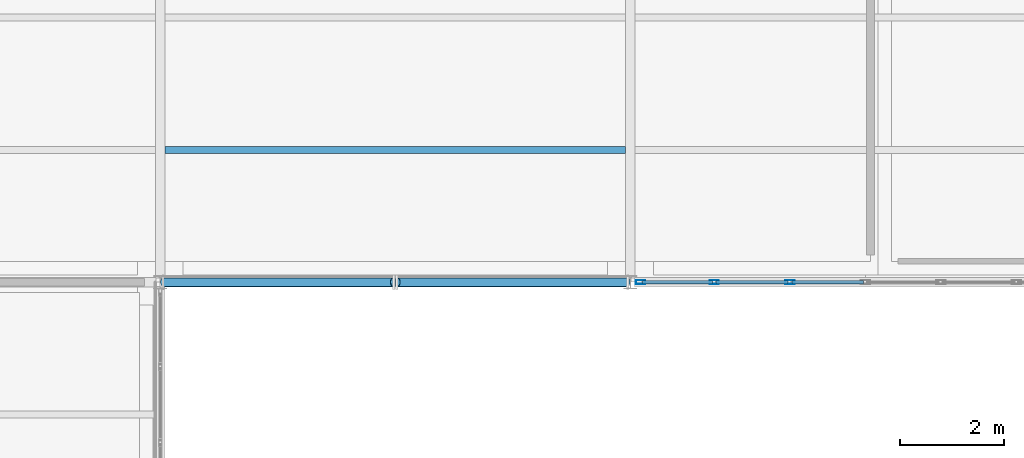
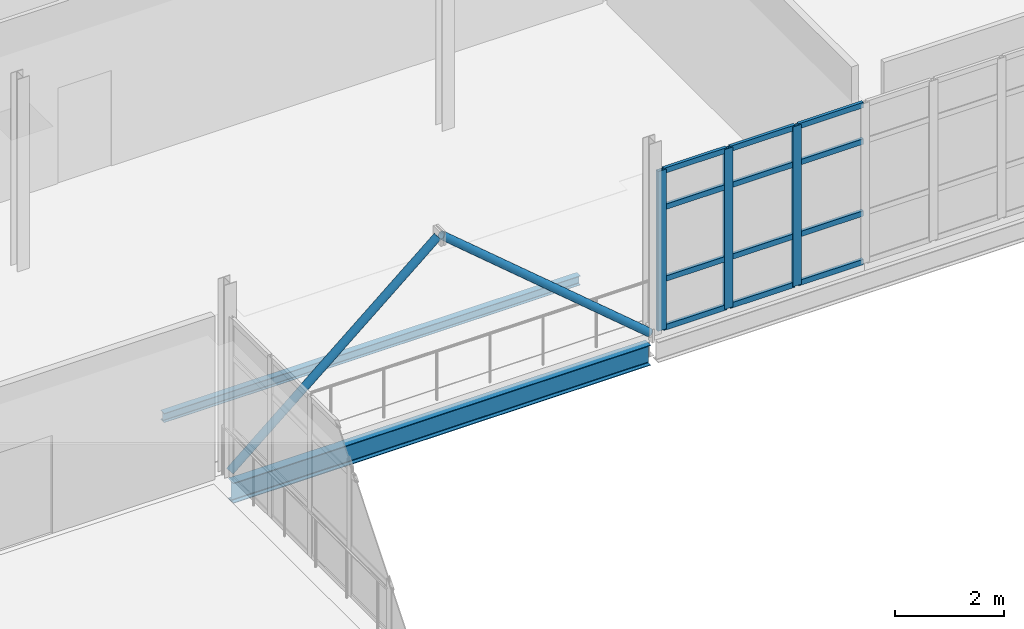
# One storey, part 80 of 166: 17 members, 2 beams, 1 element without a shape of its own.
"""IFC4 building model written with IfcOpenShell, lengths in metres."""

from ifc_helpers import new_model, si_unit, direction, frame, origin, origin_2d, place, context, subcontext, project, spatial, hollow_rectangle, hollow_circle, i_section, extrude, material, material_profile, profile_set, type_object, element, aggregate, save


model = new_model("IFC4")

# Units and contexts
model_context = context("Model", 3, precision=1e-05, world=origin(), true_north=direction((0.0, 1.0)))
body_context = subcontext(model_context, "Body", "Model", "MODEL_VIEW")
ifc_project = project(units=[si_unit("LENGTHUNIT", "METRE"), si_unit("AREAUNIT", "SQUARE_METRE"), si_unit("VOLUMEUNIT", "CUBIC_METRE"), si_unit("PLANEANGLEUNIT", "RADIAN"), si_unit("MASSUNIT", "GRAM", prefix="KILO")], contexts=[model_context])

# Site, building, storey
site_placement = place(None, origin())
site = spatial("IfcSite", under=ifc_project, at=site_placement, CompositionType="ELEMENT")
building_placement = place(site_placement, origin())
building = spatial("IfcBuilding", under=site, at=building_placement, Name="Caisbarro Railhouse Central Library", CompositionType="ELEMENT")
storey_placement = place(building_placement, frame((0.0, 0.0, 9.360107421875)))
storey = spatial("IfcBuildingStorey", under=building, at=storey_placement, Name="L02", CompositionType="ELEMENT", Elevation=9.360107421875)

# Beams
ifc_material_1 = material(Name="Steel ASTM A572 Grade 50", Category="steel")
ifc_material_profile_1 = material_profile(ifc_material_1, i_section(OverallWidth=0.133056640625, OverallDepth=0.20703125, WebThickness=0.005859375, FlangeThickness=0.00830078125, FilletRadius=0.010009765625, at=origin_2d()), Name="W200X26.6")
ifc_profile_set_1 = profile_set([ifc_material_profile_1], Name="Steel ASTM A572 Grade 50")
beam_type_1 = type_object("IfcBeamType", Name="BM-J07", PredefinedType="JOIST", material=ifc_profile_set_1)
beam_1_placement = place(storey_placement, frame((63.089111328125, 86.13330078125, -0.3037109375), z_axis=(1.0, 0.0, 0.0), x_axis=(0.0, 1.0, 0.0)))
element("IfcBeam", 1, at=beam_1_placement, inside=storey, type_object=beam_type_1, Name="J07 beam L02 #1696", PredefinedType="JOIST", context=body_context, shape_type="SweptSolid", body=[
    extrude(i_section(OverallWidth=0.133056640625, OverallDepth=0.20703125, WebThickness=0.005859375, FlangeThickness=0.00830078125, FilletRadius=0.010009765625, at=origin_2d()), origin(), (0.0, 0.0, 1.0), 8.82177734375),
])
ifc_material_profile_2 = material_profile(ifc_material_1, i_section(OverallWidth=0.18994140625, OverallDepth=0.45703125, WebThickness=0.009033203125, FlangeThickness=0.014404296875, FilletRadius=0.01806640625, at=origin_2d()), Name="W460X74.0")
ifc_profile_set_2 = profile_set([ifc_material_profile_2], Name="Steel ASTM A572 Grade 50")
beam_type_2 = type_object("IfcBeamType", Name="BM-SP01", PredefinedType="SPANDREL", material=ifc_profile_set_2)
beam_2_placement = place(storey_placement, frame((63.080078125, 83.60009765625, -0.4287109375), z_axis=(1.0, 0.0, 0.0), x_axis=(0.0, 1.0, 0.0)))
element("IfcBeam", 2, at=beam_2_placement, inside=storey, type_object=beam_type_2, Name="SP01 beam L02 #1653", PredefinedType="SPANDREL", context=body_context, shape_type="SweptSolid", body=[
    extrude(i_section(OverallWidth=0.18994140625, OverallDepth=0.45703125, WebThickness=0.009033203125, FlangeThickness=0.014404296875, FilletRadius=0.01806640625, at=origin_2d()), origin(), (0.0, 0.0, 1.0), 8.83984375),
])

# Curtain wall, members
ifc_material_2 = material(Name="Anodised architectural aluminium", Category="aluminium")
curtain_wall_type = type_object("IfcCurtainWallType", Name="CW-CW02", PredefinedType="NOTDEFINED", material=ifc_material_2)
curtain_wall_placement = place(storey_placement, origin())
curtain_wall = element("IfcCurtainWall", 3, at=curtain_wall_placement, inside=storey, type_object=curtain_wall_type, Name="CW02 curtain wall L02 #182", PredefinedType="NOTDEFINED")
ifc_material_profile_3 = material_profile(ifc_material_2, hollow_rectangle(XDim=0.074951171875, YDim=0.179931640625, WallThickness=0.00439453125, at=origin_2d()), Name="ALU-MUL-75X180")
ifc_profile_set_3 = profile_set([ifc_material_profile_3], Name="Anodised architectural aluminium")
member_type_1 = type_object("IfcMemberType", Name="CWM-M01", PredefinedType="MULLION", material=ifc_profile_set_3)
member_1_placement = place(storey_placement, frame((72.197509765625, 83.60009765625, 0.0), z_axis=(0.0, 0.0, 1.0), x_axis=(0.0, 1.0, 0.0)))
member_1 = element("IfcMember", 4, at=member_1_placement, type_object=member_type_1, Name="CW02 mullion 1", PredefinedType="MULLION", context=body_context, shape_type="SweptSolid", body=[
    extrude(hollow_rectangle(XDim=0.074951171875, YDim=0.179931640625, WallThickness=0.00439453125, at=origin_2d()), origin(), (0.0, 0.0, 1.0), 3.579833984375),
])
member_2_placement = place(storey_placement, frame((73.606689453125, 83.60009765625, 0.0), z_axis=(0.0, 0.0, 1.0), x_axis=(0.0, 1.0, 0.0)))
member_2 = element("IfcMember", 5, at=member_2_placement, type_object=member_type_1, Name="CW02 mullion 2", PredefinedType="MULLION", context=body_context, shape_type="SweptSolid", body=[
    extrude(hollow_rectangle(XDim=0.074951171875, YDim=0.179931640625, WallThickness=0.00439453125, at=origin_2d()), origin(), (0.0, 0.0, 1.0), 3.579833984375),
])
member_3_placement = place(storey_placement, frame((75.05322265625, 83.60009765625, 0.0), z_axis=(0.0, 0.0, 1.0), x_axis=(0.0, 1.0, 0.0)))
member_3 = element("IfcMember", 6, at=member_3_placement, type_object=member_type_1, Name="CW02 mullion 3", PredefinedType="MULLION", context=body_context, shape_type="SweptSolid", body=[
    extrude(hollow_rectangle(XDim=0.074951171875, YDim=0.179931640625, WallThickness=0.00439453125, at=origin_2d()), origin(), (0.0, 0.0, 1.0), 3.579833984375),
])
ifc_material_profile_4 = material_profile(ifc_material_2, hollow_rectangle(XDim=0.06494140625, YDim=0.1201171875, WallThickness=0.00341796875, at=origin_2d()), Name="ALU-TRN-65X120")
ifc_profile_set_4 = profile_set([ifc_material_profile_4], Name="Anodised architectural aluminium")
member_type_2 = type_object("IfcMemberType", Name="CWT-T02", PredefinedType="USERDEFINED", material=ifc_profile_set_4)
member_4_placement = place(storey_placement, frame((72.235107421875, 83.60009765625, 0.032470703125), z_axis=(1.0, 0.0, 0.0), x_axis=(0.0, 1.0, 0.0)))
member_4 = element("IfcMember", 7, at=member_4_placement, type_object=member_type_2, Name="CW02 transom 1.1", ObjectType="TRANSOM", PredefinedType="USERDEFINED", context=body_context, shape_type="SweptSolid", body=[
    extrude(hollow_rectangle(XDim=0.06494140625, YDim=0.1201171875, WallThickness=0.00341796875, at=origin_2d()), origin(), (0.0, 0.0, 1.0), 1.333984375),
])
member_5_placement = place(storey_placement, frame((72.235107421875, 83.60009765625, 1.119873046875), z_axis=(1.0, 0.0, 0.0), x_axis=(0.0, 1.0, 0.0)))
member_5 = element("IfcMember", 8, at=member_5_placement, type_object=member_type_2, Name="CW02 transom 1.2", ObjectType="TRANSOM", PredefinedType="USERDEFINED", context=body_context, shape_type="SweptSolid", body=[
    extrude(hollow_rectangle(XDim=0.06494140625, YDim=0.1201171875, WallThickness=0.00341796875, at=origin_2d()), origin(), (0.0, 0.0, 1.0), 1.333984375),
])
member_6_placement = place(storey_placement, frame((72.235107421875, 83.60009765625, 2.72998046875), z_axis=(1.0, 0.0, 0.0), x_axis=(0.0, 1.0, 0.0)))
member_6 = element("IfcMember", 9, at=member_6_placement, type_object=member_type_2, Name="CW02 transom 1.3", ObjectType="TRANSOM", PredefinedType="USERDEFINED", context=body_context, shape_type="SweptSolid", body=[
    extrude(hollow_rectangle(XDim=0.06494140625, YDim=0.1201171875, WallThickness=0.00341796875, at=origin_2d()), origin(), (0.0, 0.0, 1.0), 1.333984375),
])
member_7_placement = place(storey_placement, frame((72.235107421875, 83.60009765625, 3.54736328125), z_axis=(1.0, 0.0, 0.0), x_axis=(0.0, 1.0, 0.0)))
member_7 = element("IfcMember", 10, at=member_7_placement, type_object=member_type_2, Name="CW02 transom 1.4", ObjectType="TRANSOM", PredefinedType="USERDEFINED", context=body_context, shape_type="SweptSolid", body=[
    extrude(hollow_rectangle(XDim=0.06494140625, YDim=0.1201171875, WallThickness=0.00341796875, at=origin_2d()), origin(), (0.0, 0.0, 1.0), 1.333984375),
])
member_8_placement = place(storey_placement, frame((73.644287109375, 83.60009765625, 0.032470703125), z_axis=(1.0, 0.0, 0.0), x_axis=(0.0, 1.0, 0.0)))
member_8 = element("IfcMember", 11, at=member_8_placement, type_object=member_type_2, Name="CW02 transom 2.1", ObjectType="TRANSOM", PredefinedType="USERDEFINED", context=body_context, shape_type="SweptSolid", body=[
    extrude(hollow_rectangle(XDim=0.06494140625, YDim=0.1201171875, WallThickness=0.00341796875, at=origin_2d()), origin(), (0.0, 0.0, 1.0), 1.37158203125),
])
member_9_placement = place(storey_placement, frame((73.644287109375, 83.60009765625, 1.119873046875), z_axis=(1.0, 0.0, 0.0), x_axis=(0.0, 1.0, 0.0)))
member_9 = element("IfcMember", 12, at=member_9_placement, type_object=member_type_2, Name="CW02 transom 2.2", ObjectType="TRANSOM", PredefinedType="USERDEFINED", context=body_context, shape_type="SweptSolid", body=[
    extrude(hollow_rectangle(XDim=0.06494140625, YDim=0.1201171875, WallThickness=0.00341796875, at=origin_2d()), origin(), (0.0, 0.0, 1.0), 1.37158203125),
])
member_10_placement = place(storey_placement, frame((73.644287109375, 83.60009765625, 2.72998046875), z_axis=(1.0, 0.0, 0.0), x_axis=(0.0, 1.0, 0.0)))
member_10 = element("IfcMember", 13, at=member_10_placement, type_object=member_type_2, Name="CW02 transom 2.3", ObjectType="TRANSOM", PredefinedType="USERDEFINED", context=body_context, shape_type="SweptSolid", body=[
    extrude(hollow_rectangle(XDim=0.06494140625, YDim=0.1201171875, WallThickness=0.00341796875, at=origin_2d()), origin(), (0.0, 0.0, 1.0), 1.37158203125),
])
member_11_placement = place(storey_placement, frame((73.644287109375, 83.60009765625, 3.54736328125), z_axis=(1.0, 0.0, 0.0), x_axis=(0.0, 1.0, 0.0)))
member_11 = element("IfcMember", 14, at=member_11_placement, type_object=member_type_2, Name="CW02 transom 2.4", ObjectType="TRANSOM", PredefinedType="USERDEFINED", context=body_context, shape_type="SweptSolid", body=[
    extrude(hollow_rectangle(XDim=0.06494140625, YDim=0.1201171875, WallThickness=0.00341796875, at=origin_2d()), origin(), (0.0, 0.0, 1.0), 1.37158203125),
])
member_12_placement = place(storey_placement, frame((75.0908203125, 83.60009765625, 0.032470703125), z_axis=(1.0, 0.0, 0.0), x_axis=(0.0, 1.0, 0.0)))
member_12 = element("IfcMember", 15, at=member_12_placement, type_object=member_type_2, Name="CW02 transom 3.1", ObjectType="TRANSOM", PredefinedType="USERDEFINED", context=body_context, shape_type="SweptSolid", body=[
    extrude(hollow_rectangle(XDim=0.06494140625, YDim=0.1201171875, WallThickness=0.00341796875, at=origin_2d()), origin(), (0.0, 0.0, 1.0), 1.37158203125),
])
member_13_placement = place(storey_placement, frame((75.0908203125, 83.60009765625, 1.119873046875), z_axis=(1.0, 0.0, 0.0), x_axis=(0.0, 1.0, 0.0)))
member_13 = element("IfcMember", 16, at=member_13_placement, type_object=member_type_2, Name="CW02 transom 3.2", ObjectType="TRANSOM", PredefinedType="USERDEFINED", context=body_context, shape_type="SweptSolid", body=[
    extrude(hollow_rectangle(XDim=0.06494140625, YDim=0.1201171875, WallThickness=0.00341796875, at=origin_2d()), origin(), (0.0, 0.0, 1.0), 1.37158203125),
])
member_14_placement = place(storey_placement, frame((75.0908203125, 83.60009765625, 2.72998046875), z_axis=(1.0, 0.0, 0.0), x_axis=(0.0, 1.0, 0.0)))
member_14 = element("IfcMember", 17, at=member_14_placement, type_object=member_type_2, Name="CW02 transom 3.3", ObjectType="TRANSOM", PredefinedType="USERDEFINED", context=body_context, shape_type="SweptSolid", body=[
    extrude(hollow_rectangle(XDim=0.06494140625, YDim=0.1201171875, WallThickness=0.00341796875, at=origin_2d()), origin(), (0.0, 0.0, 1.0), 1.37158203125),
])
member_15_placement = place(storey_placement, frame((75.0908203125, 83.60009765625, 3.54736328125), z_axis=(1.0, 0.0, 0.0), x_axis=(0.0, 1.0, 0.0)))
member_15 = element("IfcMember", 18, at=member_15_placement, type_object=member_type_2, Name="CW02 transom 3.4", ObjectType="TRANSOM", PredefinedType="USERDEFINED", context=body_context, shape_type="SweptSolid", body=[
    extrude(hollow_rectangle(XDim=0.06494140625, YDim=0.1201171875, WallThickness=0.00341796875, at=origin_2d()), origin(), (0.0, 0.0, 1.0), 1.37158203125),
])
aggregate(curtain_wall, [member_1, member_2, member_3, member_4, member_5, member_6, member_7, member_8, member_9, member_10, member_11, member_12, member_13, member_14, member_15])

# Members
ifc_material_profile_5 = material_profile(ifc_material_1, hollow_circle(Radius=0.084228515625, WallThickness=0.008056640625, at=origin_2d()), Name="CHS168.3X8")
ifc_profile_set_5 = profile_set([ifc_material_profile_5], Name="Steel ASTM A572 Grade 50")
member_type_3 = type_object("IfcMemberType", Name="MEM-BR04", PredefinedType="BRACE", material=ifc_profile_set_5)
for number, where, z_axis, x_axis, name in (
    (19, (63.06005859375, 83.60009765625, 0.019775390625), (0.763624099978, 0.0, 0.645661082869), (0.0, 1.0, 0.0), "BR04 chevron brace X63-N L02.1"),
    (20, (71.93994140625, 83.60009765625, 0.019775390625), (-0.763624099978, 0.0, 0.645661082869), (0.0, -1.0, 0.0), "BR04 chevron brace X63-N L02.2"),
):
    element("IfcMember", number, at=place(storey_placement, frame(where, z_axis=z_axis, x_axis=x_axis)), inside=storey, type_object=member_type_3, Name=name, PredefinedType="BRACE", context=body_context, shape_type="SweptSolid", body=[
        extrude(hollow_circle(Radius=0.084228515625, WallThickness=0.008056640625, at=origin_2d()), origin(), (0.0, 0.0, 1.0), 5.761962890625),
    ])

save(model, "model.ifc")
